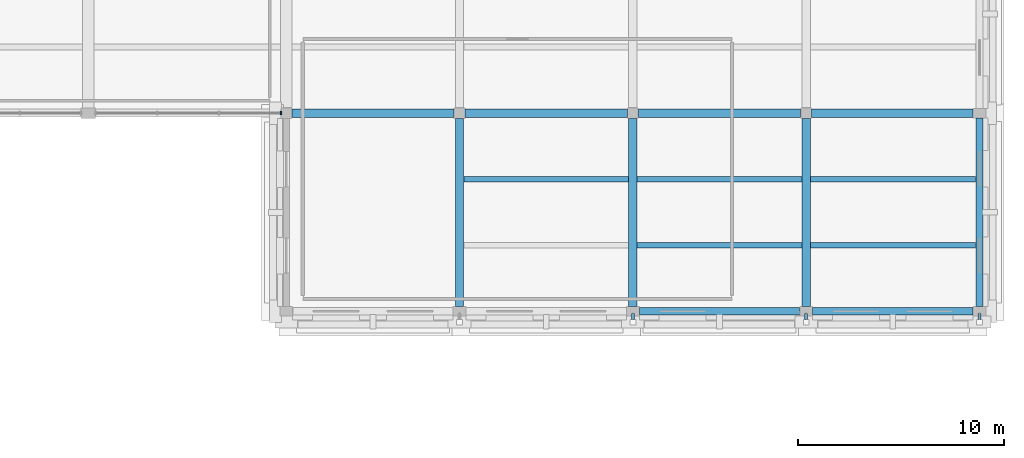
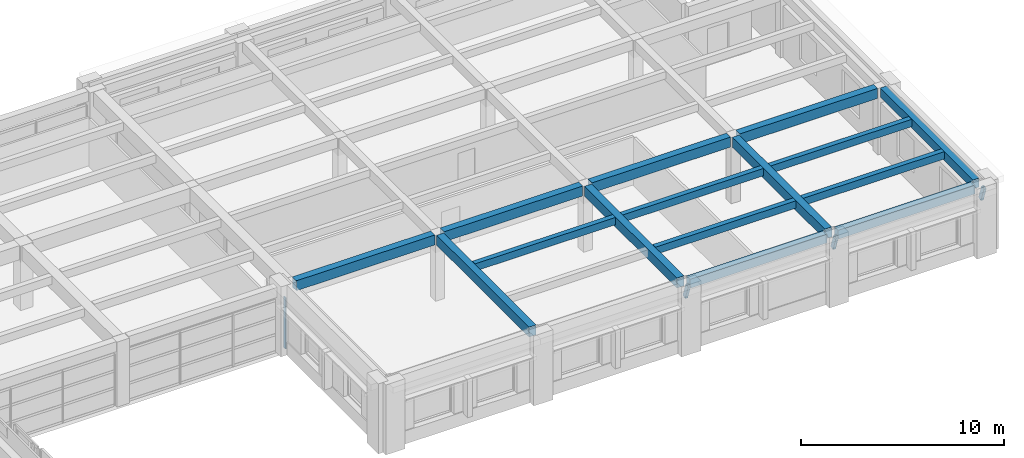
# One storey, part 27 of 62: 15 beams, 4 members, 1 element without a shape of its own.
"""IFC4 building model written with IfcOpenShell, lengths in metres."""

from ifc_helpers import new_model, si_unit, direction, frame, origin, origin_2d, place, context, subcontext, project, spatial, rectangle, hollow_rectangle, extrude, material, layer, layer_set, material_profile, profile_set, type_object, element, aggregate, save


model = new_model("IFC4")

# Units and contexts
model_context = context("Model", 3, precision=1e-05, world=origin(), true_north=direction((0.0, 1.0)))
body_context = subcontext(model_context, "Body", "Model", "MODEL_VIEW")
ifc_project = project(units=[si_unit("LENGTHUNIT", "METRE"), si_unit("AREAUNIT", "SQUARE_METRE"), si_unit("VOLUMEUNIT", "CUBIC_METRE"), si_unit("PLANEANGLEUNIT", "RADIAN"), si_unit("MASSUNIT", "GRAM", prefix="KILO")], contexts=[model_context])

# Site, building, storey
site_placement = place(None, origin())
site = spatial("IfcSite", under=ifc_project, at=site_placement, CompositionType="ELEMENT")
building_placement = place(site_placement, origin())
building = spatial("IfcBuilding", under=site, at=building_placement, Name="Bempovik Park Faculty of Sciences", CompositionType="ELEMENT")
storey_placement = place(building_placement, frame((0.0, 0.0, 9.89990234375)))
storey = spatial("IfcBuildingStorey", under=building, at=storey_placement, Name="L02", CompositionType="ELEMENT", Elevation=9.89990234375)

# Beams
ifc_material_1 = material(Name="Concrete C35/45", Category="concrete")
ifc_material_profile_1 = material_profile(ifc_material_1, rectangle(XDim=0.39990234375, YDim=0.60009765625, at=origin_2d()), Name="RC 400x600")
ifc_profile_set_1 = profile_set([ifc_material_profile_1], Name="Concrete C35/45")
beam_type_1 = type_object("IfcBeamType", Name="B-020 RC 400x600", PredefinedType="BEAM", material=ifc_profile_set_1)
beam_1_placement = place(storey_placement, frame((137.06591796875, 67.800048828125, 3.68017578125), z_axis=(1.0, 0.0, 0.0), x_axis=(0.0, 1.0, 0.0)))
element("IfcBeam", 1, at=beam_1_placement, inside=storey, type_object=beam_type_1, Name="L02 Beam X (136.8-145.2, y=67.8)", PredefinedType="BEAM", context=body_context, shape_type="SweptSolid", body=[
    extrude(rectangle(XDim=0.39990234375, YDim=0.60009765625, at=origin_2d()), origin(), (0.0, 0.0, 1.0), 7.8681640625),
])
for number, where, z_axis, x_axis, name in (
    (2, (145.466064453125, 67.800048828125, 3.68017578125), (1.0, 0.0, 0.0), (0.0, 1.0, 0.0), "L02 Beam X (145.2-153.6, y=67.8)"),
    (3, (153.865966796875, 67.800048828125, 3.68017578125), (1.0, 0.0, 0.0), (0.0, 1.0, 0.0), "L02 Beam X (153.6-162.0, y=67.8)"),
):
    element("IfcBeam", number, at=place(storey_placement, frame(where, z_axis=z_axis, x_axis=x_axis)), inside=storey, type_object=beam_type_1, Name=name, PredefinedType="BEAM", context=body_context, shape_type="SweptSolid", body=[
        extrude(rectangle(XDim=0.39990234375, YDim=0.60009765625, at=origin_2d()), origin(), (0.0, 0.0, 1.0), 7.867919921875),
    ])
beam_2_placement = place(storey_placement, frame((162.26611328125, 67.800048828125, 3.68017578125), z_axis=(1.0, 0.0, 0.0), x_axis=(0.0, 1.0, 0.0)))
element("IfcBeam", 4, at=beam_2_placement, inside=storey, type_object=beam_type_1, Name="L02 Beam X (162.0-170.4, y=67.8)", PredefinedType="BEAM", context=body_context, shape_type="SweptSolid", body=[
    extrude(rectangle(XDim=0.39990234375, YDim=0.60009765625, at=origin_2d()), origin(), (0.0, 0.0, 1.0), 7.81787109375),
])
for number, where, z_axis, x_axis, name in (
    (5, (145.199951171875, 58.43603515625, 3.68017578125), (0.0, 1.0, 0.0), (-1.0, 0.0, 0.0), "L02 Beam Y (x=145.2, 58.2-67.8)"),
    (6, (153.60009765625, 58.43603515625, 3.68017578125), (0.0, 1.0, 0.0), (-1.0, 0.0, 0.0), "L02 Beam Y (x=153.6, 58.2-67.8)"),
    (7, (162.0, 58.43603515625, 3.68017578125), (0.0, 1.0, 0.0), (-1.0, 0.0, 0.0), "L02 Beam Y (x=162.0, 58.2-67.8)"),
):
    element("IfcBeam", number, at=place(storey_placement, frame(where, z_axis=z_axis, x_axis=x_axis)), inside=storey, type_object=beam_type_1, Name=name, PredefinedType="BEAM", context=body_context, shape_type="SweptSolid", body=[
        extrude(rectangle(XDim=0.39990234375, YDim=0.60009765625, at=origin_2d()), origin(), (0.0, 0.0, 1.0), 9.097900390625),
    ])
ifc_material_profile_2 = material_profile(ifc_material_1, rectangle(XDim=0.35009765625, YDim=0.5400390625, at=origin_2d()), Name="RC 350x540")
ifc_profile_set_2 = profile_set([ifc_material_profile_2], Name="Concrete C35/45")
beam_type_2 = type_object("IfcBeamType", Name="B-059 RC 350x540", PredefinedType="SPANDREL", material=ifc_profile_set_2)
for number, where, z_axis, x_axis, name in (
    (8, (153.916015625, 58.199951171875, 3.710205078125), (1.0, 0.0, 0.0), (0.0, 1.0, 0.0), "L02 Beam X (153.6-162.0, y=58.2)"),
    (9, (162.31591796875, 58.199951171875, 3.710205078125), (1.0, 0.0, 0.0), (0.0, 1.0, 0.0), "L02 Beam X (162.0-170.4, y=58.2)"),
):
    element("IfcBeam", number, at=place(storey_placement, frame(where, z_axis=z_axis, x_axis=x_axis)), inside=storey, type_object=beam_type_2, Name=name, PredefinedType="SPANDREL", context=body_context, shape_type="SweptSolid", body=[
        extrude(rectangle(XDim=0.35009765625, YDim=0.5400390625, at=origin_2d()), origin(), (0.0, 0.0, 1.0), 7.76806640625),
    ])
beam_3_placement = place(storey_placement, frame((170.39990234375, 58.43603515625, 3.710205078125), z_axis=(0.0, 1.0, 0.0), x_axis=(-1.0, 0.0, 0.0)))
element("IfcBeam", 10, at=beam_3_placement, inside=storey, type_object=beam_type_2, Name="L02 Beam Y (x=170.4, 58.2-67.8)", PredefinedType="SPANDREL", context=body_context, shape_type="SweptSolid", body=[
    extrude(rectangle(XDim=0.35009765625, YDim=0.5400390625, at=origin_2d()), origin(), (0.0, 0.0, 1.0), 9.1279296875),
])
ifc_material_profile_3 = material_profile(ifc_material_1, rectangle(XDim=0.280029296875, YDim=0.43994140625, at=origin_2d()), Name="RC 280x440")
ifc_profile_set_3 = profile_set([ifc_material_profile_3], Name="Concrete C35/45")
beam_type_3 = type_object("IfcBeamType", Name="B-076 RC 280x440", PredefinedType="JOIST", material=ifc_profile_set_3)
for number, where, z_axis, x_axis, name in (
    (11, (145.406005859375, 64.60009765625, 3.760009765625), (1.0, 0.0, 0.0), (0.0, 1.0, 0.0), "L02 Secondary Joist (145.2-153.6, y=64.60)"),
    (12, (153.805908203125, 61.39990234375, 3.760009765625), (1.0, 0.0, 0.0), (0.0, 1.0, 0.0), "L02 Secondary Joist (153.6-162.0, y=61.40)"),
    (13, (153.805908203125, 64.60009765625, 3.760009765625), (1.0, 0.0, 0.0), (0.0, 1.0, 0.0), "L02 Secondary Joist (153.6-162.0, y=64.60)"),
):
    element("IfcBeam", number, at=place(storey_placement, frame(where, z_axis=z_axis, x_axis=x_axis)), inside=storey, type_object=beam_type_3, Name=name, PredefinedType="JOIST", context=body_context, shape_type="SweptSolid", body=[
        extrude(rectangle(XDim=0.280029296875, YDim=0.43994140625, at=origin_2d()), origin(), (0.0, 0.0, 1.0), 7.988037109375),
    ])
for number, where, z_axis, x_axis, name in (
    (14, (162.2060546875, 61.39990234375, 3.760009765625), (1.0, 0.0, 0.0), (0.0, 1.0, 0.0), "L02 Secondary Joist (162.0-170.4, y=61.40)"),
    (15, (162.2060546875, 64.60009765625, 3.760009765625), (1.0, 0.0, 0.0), (0.0, 1.0, 0.0), "L02 Secondary Joist (162.0-170.4, y=64.60)"),
):
    element("IfcBeam", number, at=place(storey_placement, frame(where, z_axis=z_axis, x_axis=x_axis)), inside=storey, type_object=beam_type_3, Name=name, PredefinedType="JOIST", context=body_context, shape_type="SweptSolid", body=[
        extrude(rectangle(XDim=0.280029296875, YDim=0.43994140625, at=origin_2d()), origin(), (0.0, 0.0, 1.0), 8.012939453125),
    ])

# Members
ifc_material_2 = material(Name="Steel S355", Category="steel")
ifc_material_profile_4 = material_profile(ifc_material_2, hollow_rectangle(XDim=0.14990234375, YDim=0.25, WallThickness=0.010009765625, at=origin_2d()), Name="RHS 250x150x10")
ifc_profile_set_4 = profile_set([ifc_material_profile_4], Name="Steel S355")
member_type_1 = type_object("IfcMemberType", Name="M-61 RHS 250x150x10", PredefinedType="STRUT", material=ifc_profile_set_4)
for number, where, z_axis, x_axis, name in (
    (16, (153.60009765625, 57.964111328125, 3.10009765625), (0.0, -0.327035990836, 0.945011883892), (1.0, 0.0, 0.0), "East Wing Classical Eave Strut 2"),
    (17, (162.0, 57.964111328125, 3.10009765625), (0.0, -0.327035990836, 0.945011883892), (1.0, 0.0, 0.0), "East Wing Classical Eave Strut 3"),
    (18, (170.39990234375, 57.964111328125, 3.10009765625), (0.0, -0.327035990836, 0.945011883892), (1.0, 0.0, 0.0), "East Wing Classical Eave Strut 4"),
):
    element("IfcMember", number, at=place(storey_placement, frame(where, z_axis=z_axis, x_axis=x_axis)), inside=storey, type_object=member_type_1, Name=name, PredefinedType="STRUT", context=body_context, shape_type="SweptSolid", body=[
        extrude(hollow_rectangle(XDim=0.14990234375, YDim=0.25, WallThickness=0.010009765625, at=origin_2d()), origin(), (0.0, 0.0, 1.0), 0.899658203125),
    ])

# Curtain wall, member
ifc_material_3 = material(Name="Tempered laminated low-E glass", Category="glass")
ifc_layer = layer(ifc_material_3, 0.159912109375)
ifc_layer_set = layer_set([ifc_layer], Name="Tempered laminated low-E glass")
curtain_wall_type = type_object("IfcCurtainWallType", Name="CW-41 Curtain 6600x3800", PredefinedType="USERDEFINED", material=ifc_layer_set)
curtain_wall_placement = place(storey_placement, origin())
curtain_wall = element("IfcCurtainWall", 19, at=curtain_wall_placement, inside=storey, type_object=curtain_wall_type, Name="L02 Unitised Curtain Wall (67.8,127.2)", ObjectType="UNITISED CURTAIN WALL", PredefinedType="USERDEFINED")
ifc_material_4 = material(Name="Anodised architectural bronze", Category="aluminium")
ifc_material_profile_5 = material_profile(ifc_material_4, rectangle(XDim=0.06494140625, YDim=0.169921875, at=origin_2d()), Name="ALU-M 65x170")
ifc_profile_set_5 = profile_set([ifc_material_profile_5], Name="Anodised architectural bronze")
member_type_2 = type_object("IfcMemberType", Name="ML-15 ALU-M 65x170", PredefinedType="MULLION", material=ifc_profile_set_5)
member_placement = place(storey_placement, frame((136.5380859375, 67.800048828125, 0.0), z_axis=(0.0, 0.0, 1.0), x_axis=(1.0, 0.0, 0.0)))
member = element("IfcMember", 20, at=member_placement, type_object=member_type_2, Name="CW-BAY-L02-678-1272 Mullion 3", PredefinedType="MULLION", context=body_context, shape_type="SweptSolid", body=[
    extrude(rectangle(XDim=0.06494140625, YDim=0.169921875, at=origin_2d()), origin(), (0.0, 0.0, 1.0), 3.080078125),
])
aggregate(curtain_wall, [member])

save(model, "model.ifc")
